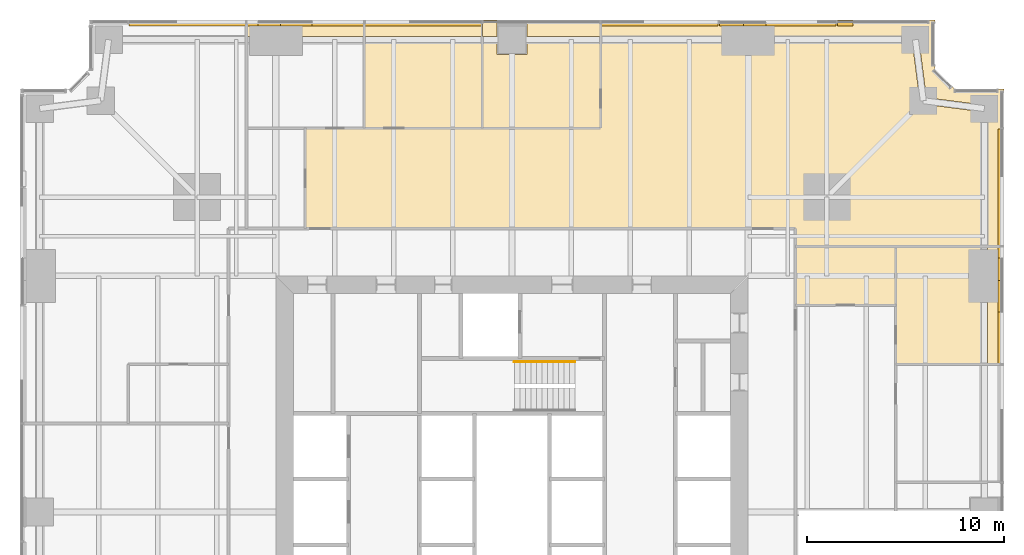
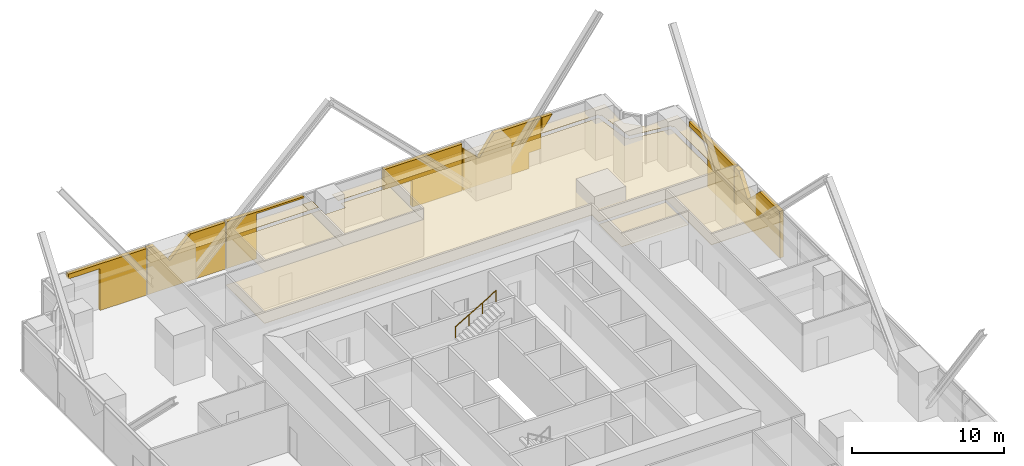
# One storey, part 14 of 14: 19 coverings, 1 railing.
"""IFC4 building model written with IfcOpenShell, lengths in metres."""

from ifc_helpers import new_model, si_unit, direction, frame, origin, origin_2d, place, context, subcontext, project, spatial, polyline, circle, outline, extrude, material, layer, layer_set, type_object, element, save


model = new_model("IFC4")

# Units and contexts
model_context = context("Model", 3, precision=1e-05, world=origin(), true_north=direction((0.0, 1.0)))
body_context = subcontext(model_context, "Body", "Model", "MODEL_VIEW")
ifc_project = project(units=[si_unit("LENGTHUNIT", "METRE"), si_unit("AREAUNIT", "SQUARE_METRE"), si_unit("VOLUMEUNIT", "CUBIC_METRE"), si_unit("PLANEANGLEUNIT", "RADIAN"), si_unit("MASSUNIT", "GRAM", prefix="KILO")], contexts=[model_context])

# Site, building, storey
site_placement = place(None, origin())
site = spatial("IfcSite", under=ifc_project, at=site_placement, CompositionType="ELEMENT")
building_placement = place(site_placement, origin())
building = spatial("IfcBuilding", under=site, at=building_placement, Name="Fenwick Lantern Interchange", CompositionType="ELEMENT")
storey_placement = place(building_placement, frame((0.0, 0.0, 79.0)))
storey = spatial("IfcBuildingStorey", under=building, at=storey_placement, Name="L18", CompositionType="ELEMENT", Elevation=79.0)

# Coverings
ifc_material_1 = material(Name="Mineral fibre acoustic tile on suspended grid")
ifc_layer_1 = layer(ifc_material_1, 0.02001953125)
ifc_layer_set_1 = layer_set([ifc_layer_1], Name="ACOUSTIC TILE CEILING 20")
covering_type_1 = type_object("IfcCoveringType", Name="ACOUSTIC TILE CEILING 20", PredefinedType="CEILING", material=ifc_layer_set_1)
covering_1_placement = place(storey_placement, frame((0.0, 0.0, 2.89990234375)))
element("IfcCovering", 1, at=covering_1_placement, inside=storey, type_object=covering_type_1, Name="Office ceiling", PredefinedType="CEILING", context=body_context, shape_type="SweptSolid", body=[
    extrude(outline(polyline([(44.5, 32.5), (48.82763671875, 32.5), (48.82763671875, 37.0), (48.82763671875, 38.5), (44.5, 38.5), (44.5, 32.5)])), origin(), (0.0, 0.0, 1.0), 0.02001953125),
])
covering_2_placement = place(storey_placement, frame((0.0, 0.0, 2.89990234375)))
element("IfcCovering", 2, at=covering_2_placement, inside=storey, type_object=covering_type_1, Name="Office ceiling", PredefinedType="CEILING", context=body_context, shape_type="SweptSolid", body=[
    extrude(outline(polyline([(50.0, 38.5), (49.17236328125, 38.5), (49.17236328125, 37.0), (49.17236328125, 32.5), (50.0, 32.5), (50.0, 38.5)])), origin(), (0.0, 0.0, 1.0), 0.02001953125),
])
covering_3_placement = place(storey_placement, frame((0.0, 0.0, 2.89990234375)))
element("IfcCovering", 3, at=covering_3_placement, inside=storey, type_object=covering_type_1, Name="Office suite ceiling", PredefinedType="CEILING", context=body_context, shape_type="SweptSolid", body=[
    extrude(outline(polyline([(39.39990234375, 38.5), (48.82763671875, 38.5), (48.82763671875, 45.348388671875), (45.8779296875, 45.72900390625), (45.89990234375, 45.89990234375), (45.72900390625, 45.8779296875), (45.348388671875, 48.82763671875), (37.0, 48.82763671875), (29.5, 48.82763671875), (29.5, 44.5), (14.5, 44.5), (14.5, 39.39990234375), (39.39990234375, 39.39990234375), (39.39990234375, 38.5)])), origin(), (0.0, 0.0, 1.0), 0.02001953125),
])
covering_4_placement = place(storey_placement, frame((0.0, 0.0, 2.89990234375)))
element("IfcCovering", 4, at=covering_4_placement, inside=storey, type_object=covering_type_1, Name="Office suite ceiling", PredefinedType="CEILING", context=body_context, shape_type="SweptSolid", body=[
    extrude(outline(polyline([(46.5, 50.0), (29.5, 50.0), (29.5, 49.17236328125), (37.0, 49.17236328125), (45.5, 49.17236328125), (45.5, 49.0), (45.6708984375, 49.02197265625), (46.053955078125, 46.053955078125), (49.02197265625, 45.6708984375), (49.0, 45.5), (49.17236328125, 45.5), (49.17236328125, 38.5), (50.0, 38.5), (50.0, 46.5), (47.5, 46.5), (46.5, 47.5), (46.5, 50.0)])), origin(), (0.0, 0.0, 1.0), 0.02001953125),
])
covering_5_placement = place(storey_placement, frame((0.0, 0.0, 2.89990234375)))
element("IfcCovering", 5, at=covering_5_placement, inside=storey, type_object=covering_type_1, Name="Office ceiling", PredefinedType="CEILING", context=body_context, shape_type="SweptSolid", body=[
    extrude(outline(polyline([(29.5, 44.5), (29.5, 48.82763671875), (25.75, 48.82763671875), (25.75, 48.25), (24.25, 48.25), (24.25, 48.82763671875), (23.5, 48.82763671875), (23.5, 44.5), (29.5, 44.5)])), origin(), (0.0, 0.0, 1.0), 0.02001953125),
])
covering_6_placement = place(storey_placement, frame((0.0, 0.0, 2.89990234375)))
element("IfcCovering", 6, at=covering_6_placement, inside=storey, type_object=covering_type_1, Name="Office ceiling", PredefinedType="CEILING", context=body_context, shape_type="SweptSolid", body=[
    extrude(outline(polyline([(29.5, 49.17236328125), (29.5, 50.0), (25.75, 50.0), (25.75, 49.17236328125), (29.5, 49.17236328125)])), origin(), (0.0, 0.0, 1.0), 0.02001953125),
])
covering_7_placement = place(storey_placement, frame((0.0, 0.0, 2.89990234375)))
element("IfcCovering", 7, at=covering_7_placement, inside=storey, type_object=covering_type_1, Name="Office ceiling", PredefinedType="CEILING", context=body_context, shape_type="SweptSolid", body=[
    extrude(outline(polyline([(23.5, 50.0), (23.5, 49.17236328125), (24.25, 49.17236328125), (24.25, 50.0), (23.5, 50.0)])), origin(), (0.0, 0.0, 1.0), 0.02001953125),
])
covering_8_placement = place(storey_placement, frame((0.0, 0.0, 2.89990234375)))
element("IfcCovering", 8, at=covering_8_placement, inside=storey, type_object=covering_type_1, Name="Meeting room ceiling", PredefinedType="CEILING", context=body_context, shape_type="SweptSolid", body=[
    extrude(outline(polyline([(23.5, 44.5), (23.5, 48.82763671875), (17.5, 48.82763671875), (17.5, 44.5), (23.5, 44.5)])), origin(), (0.0, 0.0, 1.0), 0.02001953125),
])
covering_9_placement = place(storey_placement, frame((0.0, 0.0, 2.89990234375)))
element("IfcCovering", 9, at=covering_9_placement, inside=storey, type_object=covering_type_1, Name="Meeting room ceiling", PredefinedType="CEILING", context=body_context, shape_type="SweptSolid", body=[
    extrude(outline(polyline([(17.5, 50.0), (17.5, 49.17236328125), (23.5, 49.17236328125), (23.5, 50.0), (17.5, 50.0)])), origin(), (0.0, 0.0, 1.0), 0.02001953125),
])
covering_10_placement = place(storey_placement, frame((0.0, 0.0, 2.89990234375)))
element("IfcCovering", 10, at=covering_10_placement, inside=storey, type_object=covering_type_1, Name="Office ceiling", PredefinedType="CEILING", context=body_context, shape_type="SweptSolid", body=[
    extrude(outline(polyline([(11.5, 50.0), (11.5, 49.17236328125), (13.0, 49.17236328125), (17.5, 49.17236328125), (17.5, 50.0), (11.5, 50.0)])), origin(), (0.0, 0.0, 1.0), 0.02001953125),
])
ifc_material_2 = material(Name="Granite cladding, warm grey flamed finish, on aluminium carrier frame", Category="masonry")
ifc_layer_2 = layer(ifc_material_2, 0.300048828125)
ifc_layer_set_2 = layer_set([ifc_layer_2], Name="BRACE CASING PANEL 300")
covering_type_2 = type_object("IfcCoveringType", Name="BRACE CASING PANEL 300", PredefinedType="CLADDING", material=ifc_layer_set_2)
covering_11_placement = place(storey_placement, frame((49.89990234375, 3.60009765625, 0.0), z_axis=(0.0, 0.0, 1.0), x_axis=(0.0, 1.0, 0.0)))
element("IfcCovering", 11, at=covering_11_placement, inside=storey, type_object=covering_type_2, Name="Brace casing 05 bay 05a", PredefinedType="CLADDING", context=body_context, shape_type="SweptSolid", body=[
    extrude(outline(polyline([(28.9326171875, 0.0), (34.867431640625, 0.0), (34.867431640625, 3.75), (34.302490234375, 3.75), (33.165283203125, 2.159912109375), (31.559814453125, 3.75), (28.9326171875, 3.75), (28.9326171875, 0.0)])), frame((0.0, 0.2001953125, 0.0), z_axis=(0.0, -1.0, 0.0), x_axis=(1.0, 0.0, 0.0)), (0.0, 0.0, 1.0), 0.300048828125),
])
covering_12_placement = place(storey_placement, frame((49.89990234375, 3.60009765625, 0.0), z_axis=(0.0, 0.0, 1.0), x_axis=(0.0, 1.0, 0.0)))
element("IfcCovering", 12, at=covering_12_placement, inside=storey, type_object=covering_type_2, Name="Brace casing 05 bay 06a", PredefinedType="CLADDING", context=body_context, shape_type="SweptSolid", body=[
    extrude(outline(polyline([(34.9326171875, 0.0), (38.456298828125, 0.0), (38.456298828125, 3.369873046875), (40.867431640625, 3.369873046875), (40.867431640625, 3.75), (34.9326171875, 3.75), (34.9326171875, 0.0)])), frame((0.0, 0.2001953125, 0.0), z_axis=(0.0, -1.0, 0.0), x_axis=(1.0, 0.0, 0.0)), (0.0, 0.0, 1.0), 0.300048828125),
])
covering_13_placement = place(storey_placement, frame((46.39990234375, 49.89990234375, 2.63720703125), z_axis=(0.0, 0.0, 1.0), x_axis=(-1.0, 0.0, 0.0)))
element("IfcCovering", 13, at=covering_13_placement, inside=storey, type_object=covering_type_2, Name="Brace casing 09 bay 00a", PredefinedType="CLADDING", context=body_context, shape_type="SweptSolid", body=[
    extrude(outline(polyline([(4.867431640625, 0.0), (4.867431640625, 1.11279296875), (4.07177734375, 1.11279296875), (4.867431640625, 0.0)])), frame((0.0, 0.2001953125, 0.0), z_axis=(0.0, -1.0, 0.0), x_axis=(1.0, 0.0, 0.0)), (0.0, 0.0, 1.0), 0.300048828125),
])
covering_14_placement = place(storey_placement, frame((46.39990234375, 49.89990234375, 0.0), z_axis=(0.0, 0.0, 1.0), x_axis=(-1.0, 0.0, 0.0)))
element("IfcCovering", 14, at=covering_14_placement, inside=storey, type_object=covering_type_2, Name="Brace casing 09 bay 01a", PredefinedType="CLADDING", context=body_context, shape_type="SweptSolid", body=[
    extrude(outline(polyline([(5.842529296875, 0.0), (10.867431640625, 0.0), (10.867431640625, 3.380859375), (9.634765625, 2.159912109375), (8.49755859375, 3.75), (4.9326171875, 3.75), (4.9326171875, 1.27392578125), (5.842529296875, 1.27392578125), (5.842529296875, 0.0)])), frame((0.0, 0.2001953125, 0.0), z_axis=(0.0, -1.0, 0.0), x_axis=(1.0, 0.0, 0.0)), (0.0, 0.0, 1.0), 0.300048828125),
])
covering_15_placement = place(storey_placement, frame((46.39990234375, 49.89990234375, 0.0), z_axis=(0.0, 0.0, 1.0), x_axis=(-1.0, 0.0, 0.0)))
element("IfcCovering", 15, at=covering_15_placement, inside=storey, type_object=covering_type_2, Name="Brace casing 09 bay 02a", PredefinedType="CLADDING", context=body_context, shape_type="SweptSolid", body=[
    extrude(outline(polyline([(10.9326171875, 0.0), (14.7197265625, 0.0), (14.7197265625, 2.12939453125), (16.867431640625, 2.12939453125), (16.867431640625, 3.75), (10.9326171875, 3.75), (10.9326171875, 0.0)])), frame((0.0, 0.2001953125, 0.0), z_axis=(0.0, -1.0, 0.0), x_axis=(1.0, 0.0, 0.0)), (0.0, 0.0, 1.0), 0.300048828125),
])
covering_16_placement = place(storey_placement, frame((46.39990234375, 49.89990234375, 0.0), z_axis=(0.0, 0.0, 1.0), x_axis=(-1.0, 0.0, 0.0)))
element("IfcCovering", 16, at=covering_16_placement, inside=storey, type_object=covering_type_2, Name="Brace casing 09 bay 04a", PredefinedType="CLADDING", context=body_context, shape_type="SweptSolid", body=[
    extrude(outline(polyline([(26.58251953125, 0.0), (28.867431640625, 0.0), (28.867431640625, 3.75), (22.9326171875, 3.75), (22.9326171875, 3.61279296875), (26.58251953125, 3.61279296875), (26.58251953125, 0.0)])), frame((0.0, 0.2001953125, 0.0), z_axis=(0.0, -1.0, 0.0), x_axis=(1.0, 0.0, 0.0)), (0.0, 0.0, 1.0), 0.300048828125),
])
covering_17_placement = place(storey_placement, frame((46.39990234375, 49.89990234375, 0.0), z_axis=(0.0, 0.0, 1.0), x_axis=(-1.0, 0.0, 0.0)))
element("IfcCovering", 17, at=covering_17_placement, inside=storey, type_object=covering_type_2, Name="Brace casing 09 bay 05a", PredefinedType="CLADDING", context=body_context, shape_type="SweptSolid", body=[
    extrude(outline(polyline([(28.9326171875, 0.0), (34.867431640625, 0.0), (34.867431640625, 3.75), (34.302490234375, 3.75), (33.165283203125, 2.159912109375), (31.559814453125, 3.75), (28.9326171875, 3.75), (28.9326171875, 0.0)])), frame((0.0, 0.2001953125, 0.0), z_axis=(0.0, -1.0, 0.0), x_axis=(1.0, 0.0, 0.0)), (0.0, 0.0, 1.0), 0.300048828125),
])
covering_18_placement = place(storey_placement, frame((46.39990234375, 49.89990234375, 0.0), z_axis=(0.0, 0.0, 1.0), x_axis=(-1.0, 0.0, 0.0)))
element("IfcCovering", 18, at=covering_18_placement, inside=storey, type_object=covering_type_2, Name="Brace casing 09 bay 06a", PredefinedType="CLADDING", context=body_context, shape_type="SweptSolid", body=[
    extrude(outline(polyline([(34.9326171875, 0.0), (38.456298828125, 0.0), (38.456298828125, 3.369873046875), (40.867431640625, 3.369873046875), (40.867431640625, 3.75), (34.9326171875, 3.75), (34.9326171875, 0.0)])), frame((0.0, 0.2001953125, 0.0), z_axis=(0.0, -1.0, 0.0), x_axis=(1.0, 0.0, 0.0)), (0.0, 0.0, 1.0), 0.300048828125),
])

# Railing
ifc_material_3 = material(Name="Stainless steel handrail", Category="steel")
railing_type = type_object("IfcRailingType", Name="HANDRAIL 900", PredefinedType="HANDRAIL", material=ifc_material_3)
railing_placement = place(storey_placement, frame((25.1201171875, 32.6259765625, 2.166748046875)))
element("IfcRailing", 19, at=railing_placement, inside=storey, type_object=railing_type, Name="L18/STAIR/ST2/HR2", PredefinedType="HANDRAIL", context=body_context, shape_type="SweptSolid", body=[
    extrude(circle(Radius=0.02392578125, at=origin_2d()), frame((0.0, 0.0, 0.8759765625), z_axis=(0.859290745958, 0.0, 0.51148745235), x_axis=(0.0, 1.0, 0.0)), (0.0, 0.0, 1.0), 3.584228515625),
    extrude(circle(Radius=0.02099609375, at=origin_2d()), origin(), (0.0, 0.0, 1.0), 0.851806640625),
    extrude(circle(Radius=0.02099609375, at=origin_2d()), frame((1.026611328125, 0.0, 0.611083984375)), (0.0, 0.0, 1.0), 0.851806640625),
    extrude(circle(Radius=0.02099609375, at=origin_2d()), frame((2.05322265625, 0.0, 1.22216796875)), (0.0, 0.0, 1.0), 0.851806640625),
    extrude(circle(Radius=0.02099609375, at=origin_2d()), frame((3.079833984375, 0.0, 1.833251953125)), (0.0, 0.0, 1.0), 0.851806640625),
])

# Covering
ifc_material_4 = material(Name="Moisture resistant gypsum board on suspended frame, painted")
ifc_layer_3 = layer(ifc_material_4, 0.014892578125)
ifc_layer_set_3 = layer_set([ifc_layer_3], Name="MOISTURE RESISTANT CEILING 15")
covering_type_3 = type_object("IfcCoveringType", Name="MOISTURE RESISTANT CEILING 15", PredefinedType="CEILING", material=ifc_layer_set_3)
covering_19_placement = place(storey_placement, frame((0.0, 0.0, 2.699951171875)))
element("IfcCovering", 20, at=covering_19_placement, inside=storey, type_object=covering_type_3, Name="Pantry ceiling", PredefinedType="CEILING", context=body_context, shape_type="SweptSolid", body=[
    extrude(outline(polyline([(44.5, 35.5), (44.5, 38.5), (39.39990234375, 38.5), (39.39990234375, 35.5), (44.5, 35.5)])), origin(), (0.0, 0.0, 1.0), 0.01513671875),
])

save(model, "model.ifc")
